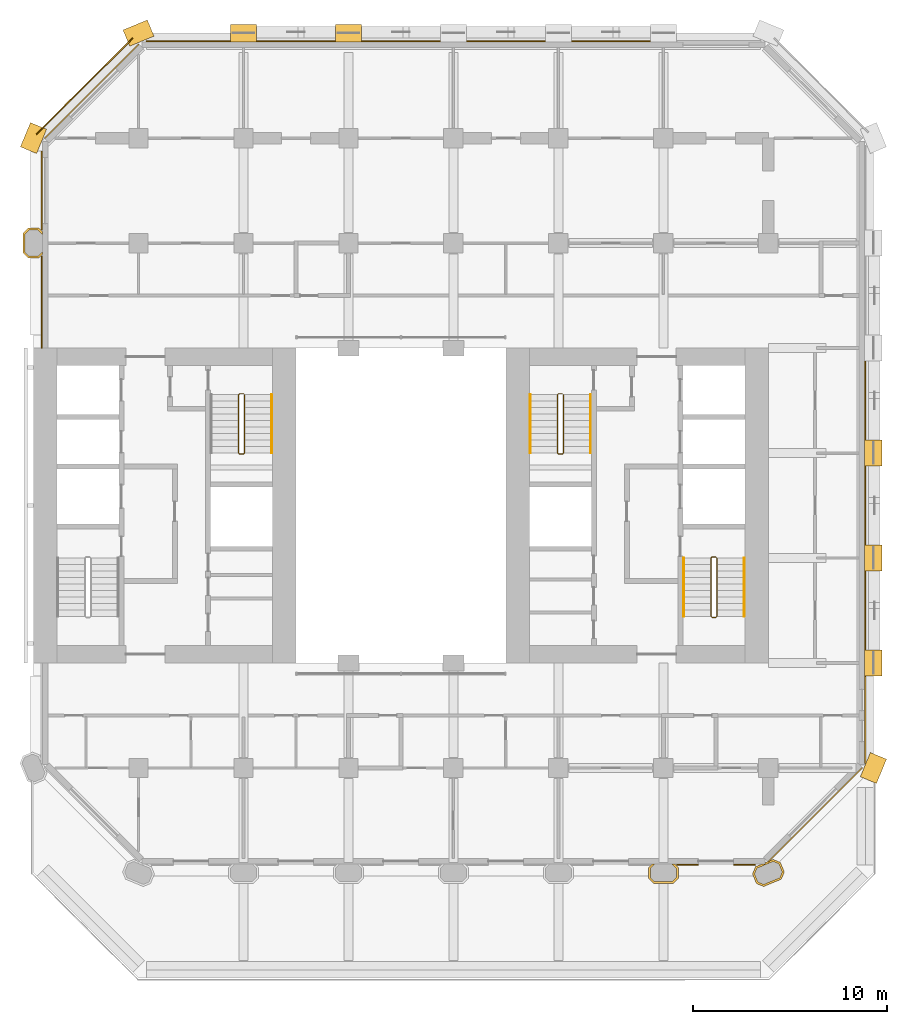
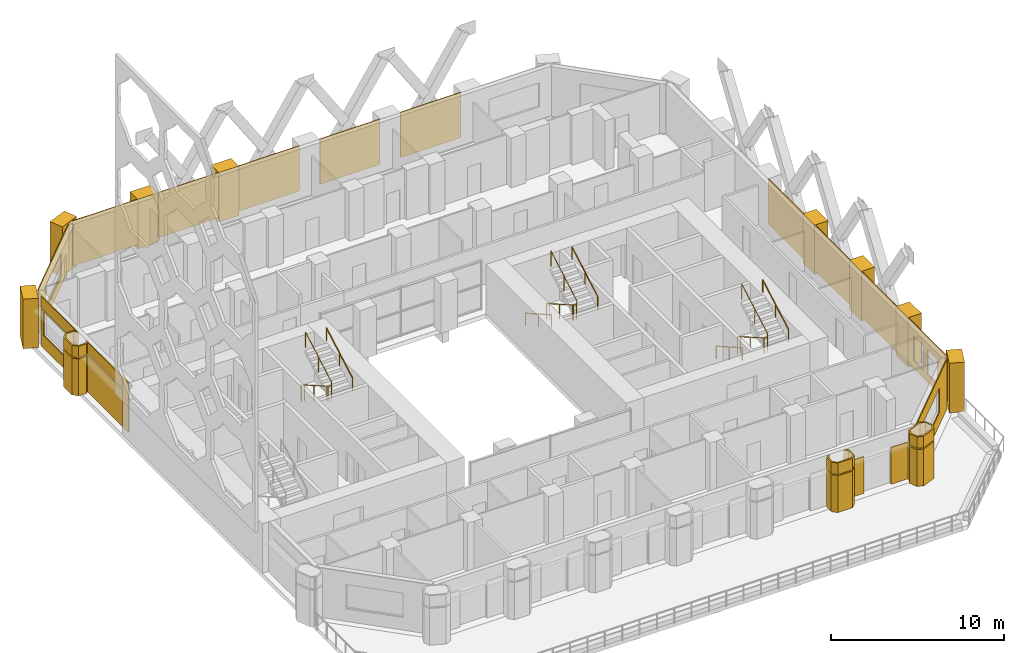
# One storey, part 15 of 16: 33 coverings, 8 railings.
"""IFC4 building model written with IfcOpenShell, lengths in metres."""

from ifc_helpers import new_model, si_unit, direction, frame, frame_2d, origin, origin_2d, place, context, subcontext, project, spatial, polyline, rectangle, circle, outline, extrude, material, layer, layer_set, type_object, element, save


model = new_model("IFC4")

# Units and contexts
model_context = context("Model", 3, precision=1e-05, world=origin(), true_north=direction((0.0, 1.0)))
body_context = subcontext(model_context, "Body", "Model", "MODEL_VIEW")
ifc_project = project(units=[si_unit("LENGTHUNIT", "METRE"), si_unit("AREAUNIT", "SQUARE_METRE"), si_unit("VOLUMEUNIT", "CUBIC_METRE"), si_unit("PLANEANGLEUNIT", "RADIAN"), si_unit("MASSUNIT", "GRAM", prefix="KILO")], contexts=[model_context])

# Site, building, storey
site_placement = place(None, origin())
site = spatial("IfcSite", under=ifc_project, at=site_placement, CompositionType="ELEMENT")
building_placement = place(site_placement, origin())
building = spatial("IfcBuilding", under=site, at=building_placement, Name="Tabaq Tower and Sports Hall", CompositionType="ELEMENT")
storey_placement = place(building_placement, frame((0.0, 0.0, 65.0)))
storey = spatial("IfcBuildingStorey", under=building, at=storey_placement, Name="L14", CompositionType="ELEMENT", Elevation=65.0)

# Coverings
ifc_material_1 = material(Name="Precast concrete C60/75", Category="concrete")
ifc_layer_1 = layer(ifc_material_1, 0.10009765625)
ifc_layer_set_1 = layer_set([ifc_layer_1], Name="Column cladding 100")
covering_type_1 = type_object("IfcCoveringType", Name="Column cladding 100", PredefinedType="CLADDING", material=ifc_layer_set_1)
covering_1_placement = place(storey_placement, origin())
element("IfcCovering", 1, at=covering_1_placement, inside=storey, type_object=covering_type_1, Name="Column cladding L14 PC-2H-O2", PredefinedType="CLADDING", context=body_context, shape_type="SweptSolid", body=[
    extrude(outline(polyline([(5.1337890625, 37.025390625), (4.850341796875, 37.30859375), (4.850341796875, 38.291259765625), (5.1337890625, 38.57470703125), (5.666259765625, 38.57470703125), (5.849609375, 38.391357421875), (5.849609375, 38.250732421875), (5.625244140625, 38.475341796875), (5.1748046875, 38.475341796875), (4.94970703125, 38.250244140625), (4.94970703125, 37.349853515625), (5.1748046875, 37.124755859375), (5.625244140625, 37.124755859375), (5.849609375, 37.349365234375), (5.849609375, 37.208740234375), (5.666259765625, 37.025390625), (5.1337890625, 37.025390625)])), origin(), (0.0, 0.0, 1.0), 2.60009765625),
])
covering_2_placement = place(storey_placement, frame((0.0, 0.0, 2.699951171875)))
element("IfcCovering", 2, at=covering_2_placement, inside=storey, type_object=covering_type_1, Name="Column cladding L14 PC-2H-O2 2", PredefinedType="CLADDING", context=body_context, shape_type="SweptSolid", body=[
    extrude(outline(polyline([(5.1337890625, 37.025390625), (4.850341796875, 37.30859375), (4.850341796875, 38.291259765625), (5.1337890625, 38.57470703125), (5.666259765625, 38.57470703125), (5.849609375, 38.391357421875), (5.849609375, 38.250732421875), (5.625244140625, 38.475341796875), (5.1748046875, 38.475341796875), (4.94970703125, 38.250244140625), (4.94970703125, 37.349853515625), (5.1748046875, 37.124755859375), (5.625244140625, 37.124755859375), (5.849609375, 37.349365234375), (5.849609375, 37.208740234375), (5.666259765625, 37.025390625), (5.1337890625, 37.025390625)])), origin(), (0.0, 0.0, 1.0), 0.800048828125),
])
covering_3_placement = place(storey_placement, origin())
element("IfcCovering", 3, at=covering_3_placement, inside=storey, type_object=covering_type_1, Name="Column cladding L14 PC-8B-O2", PredefinedType="CLADDING", context=body_context, shape_type="SweptSolid", body=[
    extrude(outline(polyline([(37.025390625, 5.666259765625), (37.208740234375, 5.849609375), (37.349365234375, 5.849609375), (37.124755859375, 5.625244140625), (37.124755859375, 5.1748046875), (37.349853515625, 4.94970703125), (38.250244140625, 4.94970703125), (38.475341796875, 5.1748046875), (38.475341796875, 5.625244140625), (38.250732421875, 5.849609375), (38.391357421875, 5.849609375), (38.57470703125, 5.666259765625), (38.57470703125, 5.1337890625), (38.291259765625, 4.850341796875), (37.30859375, 4.850341796875), (37.025390625, 5.1337890625), (37.025390625, 5.666259765625)])), origin(), (0.0, 0.0, 1.0), 2.60009765625),
])
covering_4_placement = place(storey_placement, frame((0.0, 0.0, 2.699951171875)))
element("IfcCovering", 4, at=covering_4_placement, inside=storey, type_object=covering_type_1, Name="Column cladding L14 PC-8B-O2 2", PredefinedType="CLADDING", context=body_context, shape_type="SweptSolid", body=[
    extrude(outline(polyline([(37.025390625, 5.666259765625), (37.208740234375, 5.849609375), (37.349365234375, 5.849609375), (37.124755859375, 5.625244140625), (37.124755859375, 5.1748046875), (37.349853515625, 4.94970703125), (38.250244140625, 4.94970703125), (38.475341796875, 5.1748046875), (38.475341796875, 5.625244140625), (38.250732421875, 5.849609375), (38.391357421875, 5.849609375), (38.57470703125, 5.666259765625), (38.57470703125, 5.1337890625), (38.291259765625, 4.850341796875), (37.30859375, 4.850341796875), (37.025390625, 5.1337890625), (37.025390625, 5.666259765625)])), origin(), (0.0, 0.0, 1.0), 0.800048828125),
])
covering_5_placement = place(storey_placement, origin())
element("IfcCovering", 5, at=covering_5_placement, inside=storey, type_object=covering_type_1, Name="Column cladding L14 PC-9B-O2", PredefinedType="CLADDING", context=body_context, shape_type="SweptSolid", body=[
    extrude(outline(polyline([(42.38232421875, 5.349609375), (42.53564453125, 5.7197265625), (42.84912109375, 5.849609375), (43.013916015625, 5.849609375), (43.013916015625, 5.91796875), (43.16748046875, 5.9814453125), (43.198974609375, 5.9501953125), (43.27490234375, 6.026123046875), (43.443603515625, 6.095947265625), (43.813720703125, 5.9423828125), (44.017578125, 5.450439453125), (43.8642578125, 5.080078125), (42.95654296875, 4.7041015625), (42.586181640625, 4.857421875), (42.38232421875, 5.349609375)]), holes=[polyline([(43.91015625, 5.450439453125), (43.73779296875, 5.866455078125), (43.443603515625, 5.98828125), (42.61181640625, 5.643798828125), (42.489990234375, 5.349609375), (42.662353515625, 4.93359375), (42.95654296875, 4.811767578125), (43.7880859375, 5.15625), (43.91015625, 5.450439453125)])]), origin(), (0.0, 0.0, 1.0), 2.60009765625),
])
covering_6_placement = place(storey_placement, frame((0.0, 0.0, 2.699951171875)))
element("IfcCovering", 6, at=covering_6_placement, inside=storey, type_object=covering_type_1, Name="Column cladding L14 PC-9B-O2 2", PredefinedType="CLADDING", context=body_context, shape_type="SweptSolid", body=[
    extrude(outline(polyline([(42.38232421875, 5.349609375), (42.53564453125, 5.7197265625), (42.84912109375, 5.849609375), (43.013916015625, 5.849609375), (43.013916015625, 5.91796875), (43.16748046875, 5.9814453125), (43.198974609375, 5.9501953125), (43.27490234375, 6.026123046875), (43.443603515625, 6.095947265625), (43.813720703125, 5.9423828125), (44.017578125, 5.450439453125), (43.8642578125, 5.080078125), (42.95654296875, 4.7041015625), (42.586181640625, 4.857421875), (42.38232421875, 5.349609375)]), holes=[polyline([(43.91015625, 5.450439453125), (43.73779296875, 5.866455078125), (43.443603515625, 5.98828125), (42.61181640625, 5.643798828125), (42.489990234375, 5.349609375), (42.662353515625, 4.93359375), (42.95654296875, 4.811767578125), (43.7880859375, 5.15625), (43.91015625, 5.450439453125)])]), origin(), (0.0, 0.0, 1.0), 0.800048828125),
])
ifc_material_2 = material(Name="Precast concrete C60/75", Category="concrete")
ifc_layer_2 = layer(ifc_material_2, 0.06005859375)
ifc_layer_set_2 = layer_set([ifc_layer_2], Name="Edge beam cladding 60")
covering_type_2 = type_object("IfcCoveringType", Name="Edge beam cladding 60", PredefinedType="CLADDING", material=ifc_layer_set_2)
covering_7_placement = place(storey_placement, frame((10.494384765625, 48.3369140625, -0.300048828125), z_axis=(0.0, 0.0, 1.0), x_axis=(-0.707089303851, -0.70712425809, 0.0)))
element("IfcCovering", 7, at=covering_7_placement, inside=storey, type_object=covering_type_2, Name="Edge beam cladding L14 4", PredefinedType="CLADDING", context=body_context, shape_type="SweptSolid", body=[
    extrude(rectangle(XDim=6.984619140625, YDim=0.06005859375, at=frame_2d((3.4921875, 0.0))), origin(), (0.0, 0.0, 1.0), 0.300048828125),
])
ifc_material_3 = material(Name="White precast concrete C60/75", Category="concrete")
covering_type_3 = type_object("IfcCoveringType", Name="Pier cladding hung 1350x900", PredefinedType="CLADDING", material=ifc_material_3)
for number, where, z_axis, x_axis, name in (
    (8, (5.658203125, 43.82373046875, 0.0), (0.0, 0.0, 1.0), (-0.382649923473, -0.923893411637, 0.0), "Hung pier cladding 1/8"),
    (9, (11.423583984375, 48.8583984375, 0.0), (0.0, 0.0, 1.0), (-0.923893411637, -0.382649923473, 0.0), "Hung pier cladding 2/9"),
    (10, (16.875, 48.60009765625, 0.0), (0.0, 0.0, 1.0), (-1.0, 0.0, 0.0), "Hung pier cladding 3/9"),
):
    element("IfcCovering", number, at=place(storey_placement, frame(where, z_axis=z_axis, x_axis=x_axis)), inside=storey, type_object=covering_type_3, Name=name, PredefinedType="CLADDING", context=body_context, shape_type="SweptSolid", body=[
        extrude(rectangle(XDim=1.35009765625, YDim=0.89990234375, at=frame_2d((0.675048828125, 0.0))), origin(), (0.0, 0.0, 1.0), 3.5),
    ])
covering_8_placement = place(storey_placement, frame((22.27490234375, 48.60009765625, 0.0), z_axis=(0.0, 0.0, 1.0), x_axis=(-1.0, 0.0, 0.0)))
element("IfcCovering", 11, at=covering_8_placement, inside=storey, type_object=covering_type_3, Name="Hung pier cladding 4/9", PredefinedType="CLADDING", context=body_context, shape_type="SweptSolid", body=[
    extrude(rectangle(XDim=1.349853515625, YDim=0.89990234375, at=frame_2d((0.6748046875, 0.0))), origin(), (0.0, 0.0, 1.0), 3.5),
])
for number, where, z_axis, x_axis, name in (
    (12, (48.341796875, 10.17626953125, 0.0), (0.0, 0.0, 1.0), (0.382649923473, 0.923893411637, 0.0), "Hung pier cladding 9/2"),
    (13, (48.60009765625, 15.52490234375, 0.0), (0.0, 0.0, 1.0), (0.0, 1.0, 0.0), "Hung pier cladding 9/3"),
):
    element("IfcCovering", number, at=place(storey_placement, frame(where, z_axis=z_axis, x_axis=x_axis)), inside=storey, type_object=covering_type_3, Name=name, PredefinedType="CLADDING", context=body_context, shape_type="SweptSolid", body=[
        extrude(rectangle(XDim=1.35009765625, YDim=0.89990234375, at=frame_2d((0.675048828125, 0.0))), origin(), (0.0, 0.0, 1.0), 3.5),
    ])
covering_9_placement = place(storey_placement, frame((48.60009765625, 20.925048828125, 0.0), z_axis=(0.0, 0.0, 1.0), x_axis=(0.0, 1.0, 0.0)))
element("IfcCovering", 14, at=covering_9_placement, inside=storey, type_object=covering_type_3, Name="Hung pier cladding 9/4", PredefinedType="CLADDING", context=body_context, shape_type="SweptSolid", body=[
    extrude(rectangle(XDim=1.349853515625, YDim=0.89990234375, at=frame_2d((0.6748046875, 0.0))), origin(), (0.0, 0.0, 1.0), 3.5),
])
covering_10_placement = place(storey_placement, frame((48.60009765625, 26.324951171875, 0.0), z_axis=(0.0, 0.0, 1.0), x_axis=(0.0, 1.0, 0.0)))
element("IfcCovering", 15, at=covering_10_placement, inside=storey, type_object=covering_type_3, Name="Hung pier cladding 9/5", PredefinedType="CLADDING", context=body_context, shape_type="SweptSolid", body=[
    extrude(rectangle(XDim=1.35009765625, YDim=0.89990234375, at=frame_2d((0.675048828125, 0.0))), origin(), (0.0, 0.0, 1.0), 3.5),
])

# Railings
ifc_material_4 = material(Name="Stainless steel", Category="steel")
railing_type_1 = type_object("IfcRailingType", Name="Stair guard", PredefinedType="GUARDRAIL", material=ifc_material_4)
railing_1_placement = place(storey_placement, frame((16.199951171875, 30.050048828125, 0.0)))
element("IfcRailing", 16, at=railing_1_placement, inside=storey, type_object=railing_type_1, Name="L14 ST2 stair guard 1", PredefinedType="GUARDRAIL", context=body_context, shape_type="SweptSolid", body=[
    extrude(circle(Radius=0.02392578125, at=origin_2d()), frame((0.0, 0.0, 1.076171875), z_axis=(-1.0, 0.0, 0.0), x_axis=(0.0, -1.0, 0.0)), (0.0, 0.0, 1.0), 0.199951171875),
    extrude(circle(Radius=0.02392578125, at=origin_2d()), frame((-0.199951171875, 0.0, 1.076171875), z_axis=(-0.246910188598, -0.246910188598, 0.937054276727), x_axis=(0.707106781187, -0.707106781187, 0.0)), (0.0, 0.0, 1.0), 0.20263671875),
    extrude(circle(Radius=0.02392578125, at=origin_2d()), frame((-0.25, -0.050048828125, 1.26611328125), z_axis=(0.0, -0.868782136927, 0.495194505781), x_axis=(1.0, 0.0, 0.0)), (0.0, 0.0, 1.0), 3.453125),
    extrude(circle(Radius=0.02392578125, at=origin_2d()), frame((-0.25, -3.050048828125, 2.97607421875), z_axis=(0.707106781187, -0.707106781187, 0.0), x_axis=(0.707106781187, 0.707106781187, 0.0)), (0.0, 0.0, 1.0), 0.07080078125),
    extrude(circle(Radius=0.02392578125, at=origin_2d()), frame((-0.199951171875, -3.10009765625, 2.97607421875), z_axis=(1.0, 0.0, 0.0), x_axis=(0.0, 1.0, 0.0)), (0.0, 0.0, 1.0), 0.199951171875),
    extrude(circle(Radius=0.02392578125, at=origin_2d()), frame((0.0, -3.10009765625, 2.97607421875), z_axis=(0.246631811833, 0.246631811833, 0.937200884967), x_axis=(-0.707106781187, 0.707106781187, 0.0)), (0.0, 0.0, 1.0), 0.202880859375),
    extrude(circle(Radius=0.02392578125, at=origin_2d()), frame((0.050048828125, -3.050048828125, 3.166015625), z_axis=(0.0, 0.868782136927, 0.495194505781), x_axis=(-1.0, 0.0, 0.0)), (0.0, 0.0, 1.0), 3.453125),
    extrude(circle(Radius=0.02099609375, at=origin_2d()), origin(), (0.0, 0.0, 1.0), 1.052001953125),
    extrude(circle(Radius=0.02099609375, at=origin_2d()), frame((-0.199951171875, 0.0, 0.0)), (0.0, 0.0, 1.0), 1.052001953125),
    extrude(circle(Radius=0.02099609375, at=origin_2d()), frame((-0.25, -0.050048828125, 0.18994140625)), (0.0, 0.0, 1.0), 1.052001953125),
    extrude(circle(Radius=0.02099609375, at=origin_2d()), frame((-0.25, -1.550048828125, 1.044921875)), (0.0, 0.0, 1.0), 1.052001953125),
    extrude(circle(Radius=0.02099609375, at=origin_2d()), frame((-0.25, -3.050048828125, 1.89990234375)), (0.0, 0.0, 1.0), 1.052001953125),
    extrude(circle(Radius=0.02099609375, at=origin_2d()), frame((-0.199951171875, -3.10009765625, 1.89990234375)), (0.0, 0.0, 1.0), 1.052001953125),
    extrude(circle(Radius=0.02099609375, at=origin_2d()), frame((0.0, -3.10009765625, 1.89990234375)), (0.0, 0.0, 1.0), 1.052001953125),
    extrude(circle(Radius=0.02099609375, at=origin_2d()), frame((0.050048828125, -3.050048828125, 2.090087890625)), (0.0, 0.0, 1.0), 1.052001953125),
    extrude(circle(Radius=0.02099609375, at=origin_2d()), frame((0.050048828125, -1.550048828125, 2.945068359375)), (0.0, 0.0, 1.0), 1.052001953125),
    extrude(circle(Radius=0.02099609375, at=origin_2d()), frame((0.050048828125, -0.050048828125, 3.800048828125)), (0.0, 0.0, 1.0), 1.052001953125),
])
railing_2_placement = place(storey_placement, frame((40.5, 21.64990234375, 0.0)))
element("IfcRailing", 17, at=railing_2_placement, inside=storey, type_object=railing_type_1, Name="L14 ST3 stair guard 1", PredefinedType="GUARDRAIL", context=body_context, shape_type="SweptSolid", body=[
    extrude(circle(Radius=0.02392578125, at=origin_2d()), frame((0.0, 0.0, 1.076171875), z_axis=(-1.0, 0.0, 0.0), x_axis=(0.0, -1.0, 0.0)), (0.0, 0.0, 1.0), 0.199951171875),
    extrude(circle(Radius=0.02392578125, at=origin_2d()), frame((-0.199951171875, 0.0, 1.076171875), z_axis=(-0.246983470365, -0.245778672949, 0.937332389972), x_axis=(0.705375805398, -0.708833529934, 0.0)), (0.0, 0.0, 1.0), 0.20263671875),
    extrude(circle(Radius=0.02392578125, at=origin_2d()), frame((-0.25, -0.0498046875, 1.26611328125), z_axis=(0.0, -0.868782136927, 0.495194505781), x_axis=(1.0, 0.0, 0.0)), (0.0, 0.0, 1.0), 3.453125),
    extrude(circle(Radius=0.02392578125, at=origin_2d()), frame((-0.25, -3.0498046875, 2.97607421875), z_axis=(0.707106781187, -0.707106781187, 0.0), x_axis=(0.707106781187, 0.707106781187, 0.0)), (0.0, 0.0, 1.0), 0.07080078125),
    extrude(circle(Radius=0.02392578125, at=origin_2d()), frame((-0.199951171875, -3.099853515625, 2.97607421875), z_axis=(1.0, 0.0, 0.0), x_axis=(0.0, 1.0, 0.0)), (0.0, 0.0, 1.0), 0.199951171875),
    extrude(circle(Radius=0.02392578125, at=origin_2d()), frame((0.0, -3.099853515625, 2.97607421875), z_axis=(0.246631811833, 0.246631811833, 0.937200884967), x_axis=(-0.707106781187, 0.707106781187, 0.0)), (0.0, 0.0, 1.0), 0.202880859375),
    extrude(circle(Radius=0.02392578125, at=origin_2d()), frame((0.050048828125, -3.0498046875, 3.166015625), z_axis=(0.0, 0.868782136927, 0.495194505781), x_axis=(-1.0, 0.0, 0.0)), (0.0, 0.0, 1.0), 3.453125),
    extrude(circle(Radius=0.02099609375, at=origin_2d()), origin(), (0.0, 0.0, 1.0), 1.052001953125),
    extrude(circle(Radius=0.02099609375, at=origin_2d()), frame((-0.199951171875, 0.0, 0.0)), (0.0, 0.0, 1.0), 1.052001953125),
    extrude(circle(Radius=0.02099609375, at=origin_2d()), frame((-0.25, -0.0498046875, 0.18994140625)), (0.0, 0.0, 1.0), 1.052001953125),
    extrude(circle(Radius=0.02099609375, at=origin_2d()), frame((-0.25, -1.5498046875, 1.044921875)), (0.0, 0.0, 1.0), 1.052001953125),
    extrude(circle(Radius=0.02099609375, at=origin_2d()), frame((-0.25, -3.0498046875, 1.89990234375)), (0.0, 0.0, 1.0), 1.052001953125),
    extrude(circle(Radius=0.02099609375, at=origin_2d()), frame((-0.199951171875, -3.099853515625, 1.89990234375)), (0.0, 0.0, 1.0), 1.052001953125),
    extrude(circle(Radius=0.02099609375, at=origin_2d()), frame((0.0, -3.099853515625, 1.89990234375)), (0.0, 0.0, 1.0), 1.052001953125),
    extrude(circle(Radius=0.02099609375, at=origin_2d()), frame((0.050048828125, -3.0498046875, 2.090087890625)), (0.0, 0.0, 1.0), 1.052001953125),
    extrude(circle(Radius=0.02099609375, at=origin_2d()), frame((0.050048828125, -1.5498046875, 2.945068359375)), (0.0, 0.0, 1.0), 1.052001953125),
    extrude(circle(Radius=0.02099609375, at=origin_2d()), frame((0.050048828125, -0.0498046875, 3.800048828125)), (0.0, 0.0, 1.0), 1.052001953125),
])
railing_3_placement = place(storey_placement, frame((32.60009765625, 30.050048828125, 0.0)))
element("IfcRailing", 18, at=railing_3_placement, inside=storey, type_object=railing_type_1, Name="L14 ST4 stair guard 1", PredefinedType="GUARDRAIL", context=body_context, shape_type="SweptSolid", body=[
    extrude(circle(Radius=0.02392578125, at=origin_2d()), frame((0.0, 0.0, 1.076171875), z_axis=(-1.0, 0.0, 0.0), x_axis=(0.0, -1.0, 0.0)), (0.0, 0.0, 1.0), 0.2001953125),
    extrude(circle(Radius=0.02392578125, at=origin_2d()), frame((-0.2001953125, 0.0, 1.076171875), z_axis=(-0.245778672949, -0.246983470365, 0.937332389972), x_axis=(0.708833529934, -0.705375805398, 0.0)), (0.0, 0.0, 1.0), 0.20263671875),
    extrude(circle(Radius=0.02392578125, at=origin_2d()), frame((-0.25, -0.050048828125, 1.26611328125), z_axis=(0.0, -0.868782136927, 0.495194505781), x_axis=(1.0, 0.0, 0.0)), (0.0, 0.0, 1.0), 3.453125),
    extrude(circle(Radius=0.02392578125, at=origin_2d()), frame((-0.25, -3.050048828125, 2.97607421875), z_axis=(0.705375805398, -0.708833529934, 0.0), x_axis=(0.708833529934, 0.705375805398, 0.0)), (0.0, 0.0, 1.0), 0.070556640625),
    extrude(circle(Radius=0.02392578125, at=origin_2d()), frame((-0.2001953125, -3.10009765625, 2.97607421875), z_axis=(1.0, 0.0, 0.0), x_axis=(0.0, 1.0, 0.0)), (0.0, 0.0, 1.0), 0.2001953125),
    extrude(circle(Radius=0.02392578125, at=origin_2d()), frame((0.0, -3.10009765625, 2.97607421875), z_axis=(0.245501407671, 0.246704845944, 0.937478414588), x_axis=(-0.708833529934, 0.705375805398, 0.0)), (0.0, 0.0, 1.0), 0.202880859375),
    extrude(circle(Radius=0.02392578125, at=origin_2d()), frame((0.0498046875, -3.050048828125, 3.166015625), z_axis=(0.0, 0.868782136927, 0.495194505781), x_axis=(-1.0, 0.0, 0.0)), (0.0, 0.0, 1.0), 3.453125),
    extrude(circle(Radius=0.02099609375, at=origin_2d()), origin(), (0.0, 0.0, 1.0), 1.052001953125),
    extrude(circle(Radius=0.02099609375, at=origin_2d()), frame((-0.2001953125, 0.0, 0.0)), (0.0, 0.0, 1.0), 1.052001953125),
    extrude(circle(Radius=0.02099609375, at=origin_2d()), frame((-0.25, -0.050048828125, 0.18994140625)), (0.0, 0.0, 1.0), 1.052001953125),
    extrude(circle(Radius=0.02099609375, at=origin_2d()), frame((-0.25, -1.550048828125, 1.044921875)), (0.0, 0.0, 1.0), 1.052001953125),
    extrude(circle(Radius=0.02099609375, at=origin_2d()), frame((-0.25, -3.050048828125, 1.89990234375)), (0.0, 0.0, 1.0), 1.052001953125),
    extrude(circle(Radius=0.02099609375, at=origin_2d()), frame((-0.2001953125, -3.10009765625, 1.89990234375)), (0.0, 0.0, 1.0), 1.052001953125),
    extrude(circle(Radius=0.02099609375, at=origin_2d()), frame((0.0, -3.10009765625, 1.89990234375)), (0.0, 0.0, 1.0), 1.052001953125),
    extrude(circle(Radius=0.02099609375, at=origin_2d()), frame((0.0498046875, -3.050048828125, 2.090087890625)), (0.0, 0.0, 1.0), 1.052001953125),
    extrude(circle(Radius=0.02099609375, at=origin_2d()), frame((0.0498046875, -1.550048828125, 2.945068359375)), (0.0, 0.0, 1.0), 1.052001953125),
    extrude(circle(Radius=0.02099609375, at=origin_2d()), frame((0.0498046875, -0.050048828125, 3.800048828125)), (0.0, 0.0, 1.0), 1.052001953125),
])
ifc_material_5 = material(Name="Stainless steel", Category="steel")
railing_type_2 = type_object("IfcRailingType", Name="Stair handrail", PredefinedType="HANDRAIL", material=ifc_material_5)
railing_4_placement = place(storey_placement, frame((17.64990234375, 27.0, 2.090087890625)))
element("IfcRailing", 19, at=railing_4_placement, inside=storey, type_object=railing_type_2, Name="L14 ST2 stair handrail 2", PredefinedType="HANDRAIL", context=body_context, shape_type="SweptSolid", body=[
    extrude(circle(Radius=0.02392578125, at=origin_2d()), frame((0.0, 0.0, 0.8759765625), z_axis=(0.0, 0.868782136927, 0.495194505781), x_axis=(-1.0, 0.0, 0.0)), (0.0, 0.0, 1.0), 3.453125),
    extrude(circle(Radius=0.02099609375, at=origin_2d()), origin(), (0.0, 0.0, 1.0), 0.851806640625),
    extrude(circle(Radius=0.02099609375, at=origin_2d()), frame((0.0, 1.5, 0.85498046875)), (0.0, 0.0, 1.0), 0.851806640625),
    extrude(circle(Radius=0.02099609375, at=origin_2d()), frame((0.0, 3.0, 1.7099609375)), (0.0, 0.0, 1.0), 0.851806640625),
])
railing_5_placement = place(storey_placement, frame((38.85009765625, 21.60009765625, 0.18994140625)))
element("IfcRailing", 20, at=railing_5_placement, inside=storey, type_object=railing_type_2, Name="L14 ST3 stair handrail 1", PredefinedType="HANDRAIL", context=body_context, shape_type="SweptSolid", body=[
    extrude(circle(Radius=0.02392578125, at=origin_2d()), frame((0.0, 0.0, 0.8759765625), z_axis=(0.0, -0.868782136927, 0.495194505781), x_axis=(1.0, 0.0, 0.0)), (0.0, 0.0, 1.0), 3.453125),
    extrude(circle(Radius=0.02099609375, at=origin_2d()), origin(), (0.0, 0.0, 1.0), 0.851806640625),
    extrude(circle(Radius=0.02099609375, at=origin_2d()), frame((0.0, -1.5, 0.85498046875)), (0.0, 0.0, 1.0), 0.851806640625),
    extrude(circle(Radius=0.02099609375, at=origin_2d()), frame((0.0, -3.0, 1.7099609375)), (0.0, 0.0, 1.0), 0.851806640625),
])
railing_6_placement = place(storey_placement, frame((41.949951171875, 18.60009765625, 2.090087890625)))
element("IfcRailing", 21, at=railing_6_placement, inside=storey, type_object=railing_type_2, Name="L14 ST3 stair handrail 2", PredefinedType="HANDRAIL", context=body_context, shape_type="SweptSolid", body=[
    extrude(circle(Radius=0.02392578125, at=origin_2d()), frame((0.0, 0.0, 0.8759765625), z_axis=(0.0, 0.868782136927, 0.495194505781), x_axis=(-1.0, 0.0, 0.0)), (0.0, 0.0, 1.0), 3.453125),
    extrude(circle(Radius=0.02099609375, at=origin_2d()), origin(), (0.0, 0.0, 1.0), 0.851806640625),
    extrude(circle(Radius=0.02099609375, at=origin_2d()), frame((0.0, 1.5, 0.85498046875)), (0.0, 0.0, 1.0), 0.851806640625),
    extrude(circle(Radius=0.02099609375, at=origin_2d()), frame((0.0, 3.0, 1.7099609375)), (0.0, 0.0, 1.0), 0.851806640625),
])
railing_7_placement = place(storey_placement, frame((30.949951171875, 30.0, 0.18994140625)))
element("IfcRailing", 22, at=railing_7_placement, inside=storey, type_object=railing_type_2, Name="L14 ST4 stair handrail 1", PredefinedType="HANDRAIL", context=body_context, shape_type="SweptSolid", body=[
    extrude(circle(Radius=0.02392578125, at=origin_2d()), frame((0.0, 0.0, 0.8759765625), z_axis=(0.0, -0.868782136927, 0.495194505781), x_axis=(1.0, 0.0, 0.0)), (0.0, 0.0, 1.0), 3.453125),
    extrude(circle(Radius=0.02099609375, at=origin_2d()), origin(), (0.0, 0.0, 1.0), 0.851806640625),
    extrude(circle(Radius=0.02099609375, at=origin_2d()), frame((0.0, -1.5, 0.85498046875)), (0.0, 0.0, 1.0), 0.851806640625),
    extrude(circle(Radius=0.02099609375, at=origin_2d()), frame((0.0, -3.0, 1.7099609375)), (0.0, 0.0, 1.0), 0.851806640625),
])
railing_8_placement = place(storey_placement, frame((34.050048828125, 27.0, 2.090087890625)))
element("IfcRailing", 23, at=railing_8_placement, inside=storey, type_object=railing_type_2, Name="L14 ST4 stair handrail 2", PredefinedType="HANDRAIL", context=body_context, shape_type="SweptSolid", body=[
    extrude(circle(Radius=0.02392578125, at=origin_2d()), frame((0.0, 0.0, 0.8759765625), z_axis=(0.0, 0.868782136927, 0.495194505781), x_axis=(-1.0, 0.0, 0.0)), (0.0, 0.0, 1.0), 3.453125),
    extrude(circle(Radius=0.02099609375, at=origin_2d()), origin(), (0.0, 0.0, 1.0), 0.851806640625),
    extrude(circle(Radius=0.02099609375, at=origin_2d()), frame((0.0, 1.5, 0.85498046875)), (0.0, 0.0, 1.0), 0.851806640625),
    extrude(circle(Radius=0.02099609375, at=origin_2d()), frame((0.0, 3.0, 1.7099609375)), (0.0, 0.0, 1.0), 0.851806640625),
])

# Coverings
ifc_material_6 = material(Name="Precast concrete C60/75", Category="concrete")
ifc_layer_3 = layer(ifc_material_6, 0.06005859375)
ifc_layer_set_3 = layer_set([ifc_layer_3], Name="White precast cladding panel 60 C60/75")
covering_type_4 = type_object("IfcCoveringType", Name="White precast cladding panel 60 C60/75", PredefinedType="CLADDING", material=ifc_layer_set_3)
covering_11_placement = place(storey_placement, frame((38.485107421875, 5.820068359375, 0.0), z_axis=(0.0, 0.0, 1.0), x_axis=(1.0, 0.0, 0.0)))
element("IfcCovering", 24, at=covering_11_placement, inside=storey, type_object=covering_type_4, Name="White precast cladding panel L14 wall00 11", PredefinedType="CLADDING", context=body_context, shape_type="SweptSolid", body=[
    extrude(rectangle(XDim=1.10498046875, YDim=0.06005859375, at=frame_2d((0.552490234375, 0.0))), origin(), (0.0, 0.0, 1.0), 2.590087890625),
])
covering_12_placement = place(storey_placement, frame((41.409912109375, 5.820068359375, 0.0), z_axis=(0.0, 0.0, 1.0), x_axis=(1.0, 0.0, 0.0)))
element("IfcCovering", 25, at=covering_12_placement, inside=storey, type_object=covering_type_4, Name="White precast cladding panel L14 wall00 12", PredefinedType="CLADDING", context=body_context, shape_type="SweptSolid", body=[
    extrude(rectangle(XDim=1.125, YDim=0.06005859375, at=frame_2d((0.5625, 0.0))), origin(), (0.0, 0.0, 1.0), 2.590087890625),
])
covering_13_placement = place(storey_placement, frame((43.177734375, 5.9716796875, 0.0), z_axis=(0.0, 0.0, 1.0), x_axis=(0.707106781187, 0.707106781187, 0.0)))
element("IfcCovering", 26, at=covering_13_placement, inside=storey, type_object=covering_type_4, Name="White precast cladding panel L14 wall01", PredefinedType="CLADDING", context=body_context, shape_type="SweptSolid", body=[
    extrude(outline(polyline([(0.0, 0.0), (6.85986328125, 0.0), (6.85986328125, 3.5), (0.0, 3.5), (0.0, 0.0)]), holes=[polyline([(1.7197265625, 0.889892578125), (1.7197265625, 2.610107421875), (5.139892578125, 2.610107421875), (5.139892578125, 0.889892578125), (1.7197265625, 0.889892578125)])]), frame((0.0, 0.030029296875, 0.0), z_axis=(0.0, -1.0, 0.0), x_axis=(1.0, 0.0, 0.0)), (0.0, 0.0, 1.0), 0.06005859375),
])
covering_14_placement = place(storey_placement, frame((48.179931640625, 11.043212890625, 0.31005859375), z_axis=(0.0, 0.0, 1.0), x_axis=(0.0, 1.0, 0.0)))
element("IfcCovering", 27, at=covering_14_placement, inside=storey, type_object=covering_type_4, Name="White precast cladding panel L14 wall02", PredefinedType="CLADDING", context=body_context, shape_type="SweptSolid", body=[
    extrude(outline(polyline([(0.0, 0.0), (4.4716796875, 0.0), (4.4716796875, 3.18994140625), (0.0, 3.18994140625), (0.0, 0.0)]), holes=[polyline([(1.096923828125, 2.300048828125), (2.216796875, 2.300048828125), (2.216796875, 0.579833984375), (1.096923828125, 0.579833984375), (1.096923828125, 2.300048828125)]), polyline([(2.69677734375, 2.300048828125), (3.81689453125, 2.300048828125), (3.81689453125, 0.579833984375), (2.69677734375, 0.579833984375), (2.69677734375, 2.300048828125)])]), frame((0.0, 0.030029296875, 0.0), z_axis=(0.0, -1.0, 0.0), x_axis=(1.0, 0.0, 0.0)), (0.0, 0.0, 1.0), 0.06005859375),
])
for number, where, z_axis, x_axis, name in (
    (28, (48.179931640625, 16.885009765625, 0.31005859375), (0.0, 0.0, 1.0), (0.0, 1.0, 0.0), "White precast cladding panel L14 wall02 2"),
    (29, (48.179931640625, 22.284912109375, 0.31005859375), (0.0, 0.0, 1.0), (0.0, 1.0, 0.0), "White precast cladding panel L14 wall02 3"),
    (30, (48.179931640625, 27.68505859375, 0.31005859375), (0.0, 0.0, 1.0), (0.0, 1.0, 0.0), "White precast cladding panel L14 wall02 4"),
    (31, (37.114990234375, 48.179931640625, 0.31005859375), (0.0, 0.0, 1.0), (-1.0, 0.0, 0.0), "White precast cladding panel L14 wall04 2"),
    (32, (31.715087890625, 48.179931640625, 0.31005859375), (0.0, 0.0, 1.0), (-1.0, 0.0, 0.0), "White precast cladding panel L14 wall04 3"),
    (33, (26.31494140625, 48.179931640625, 0.31005859375), (0.0, 0.0, 1.0), (-1.0, 0.0, 0.0), "White precast cladding panel L14 wall04 4"),
    (34, (20.9150390625, 48.179931640625, 0.31005859375), (0.0, 0.0, 1.0), (-1.0, 0.0, 0.0), "White precast cladding panel L14 wall04 5"),
):
    element("IfcCovering", number, at=place(storey_placement, frame(where, z_axis=z_axis, x_axis=x_axis)), inside=storey, type_object=covering_type_4, Name=name, PredefinedType="CLADDING", context=body_context, shape_type="SweptSolid", body=[
        extrude(rectangle(XDim=4.030029296875, YDim=0.06005859375, at=frame_2d((2.01513671875, 0.0))), origin(), (0.0, 0.0, 1.0), 3.18994140625),
    ])
covering_15_placement = place(storey_placement, frame((15.514892578125, 48.179931640625, 0.31005859375), z_axis=(0.0, 0.0, 1.0), x_axis=(-1.0, 0.0, 0.0)))
element("IfcCovering", 35, at=covering_15_placement, inside=storey, type_object=covering_type_4, Name="White precast cladding panel L14 wall04 6", PredefinedType="CLADDING", context=body_context, shape_type="SweptSolid", body=[
    extrude(rectangle(XDim=4.32275390625, YDim=0.06005859375, at=frame_2d((2.161376953125, 0.0))), origin(), (0.0, 0.0, 1.0), 3.18994140625),
])
covering_16_placement = place(storey_placement, frame((10.81982421875, 48.02587890625, 0.31005859375), z_axis=(0.0, 0.0, 1.0), x_axis=(-0.707106781187, -0.707106781187, 0.0)))
element("IfcCovering", 36, at=covering_16_placement, inside=storey, type_object=covering_type_4, Name="White precast cladding panel L14 wall05", PredefinedType="CLADDING", context=body_context, shape_type="SweptSolid", body=[
    extrude(outline(polyline([(0.0, 0.0), (6.856201171875, 0.0), (6.856201171875, 3.18994140625), (0.0, 3.18994140625), (0.0, 0.0)]), holes=[polyline([(1.71630859375, 0.579833984375), (1.71630859375, 2.300048828125), (5.13623046875, 2.300048828125), (5.13623046875, 0.579833984375), (1.71630859375, 0.579833984375)])]), frame((0.0, 0.030029296875, 0.0), z_axis=(0.0, -1.0, 0.0), x_axis=(1.0, 0.0, 0.0)), (0.0, 0.0, 1.0), 0.06005859375),
])
covering_17_placement = place(storey_placement, frame((5.820068359375, 42.534912109375, 0.0), z_axis=(0.0, 0.0, 1.0), x_axis=(0.0, -1.0, 0.0)))
element("IfcCovering", 37, at=covering_17_placement, inside=storey, type_object=covering_type_4, Name="White precast cladding panel L14 wall06", PredefinedType="CLADDING", context=body_context, shape_type="SweptSolid", body=[
    extrude(outline(polyline([(0.0, 0.0), (4.0498046875, 0.0), (4.0498046875, 2.590087890625), (0.0, 2.590087890625), (0.0, 0.0)]), holes=[polyline([(3.7451171875, 0.889892578125), (0.324951171875, 0.889892578125), (0.324951171875, 2.56005859375), (3.7451171875, 2.56005859375), (3.7451171875, 0.889892578125)])]), frame((0.0, 0.030029296875, 0.0), z_axis=(0.0, -1.0, 0.0), x_axis=(1.0, 0.0, 0.0)), (0.0, 0.0, 1.0), 0.06005859375),
])
covering_18_placement = place(storey_placement, frame((5.820068359375, 42.534912109375, 2.7099609375), z_axis=(0.0, 0.0, 1.0), x_axis=(0.0, -1.0, 0.0)))
element("IfcCovering", 38, at=covering_18_placement, inside=storey, type_object=covering_type_4, Name="White precast cladding panel L14 wall06 2", PredefinedType="CLADDING", context=body_context, shape_type="SweptSolid", body=[
    extrude(rectangle(XDim=4.0498046875, YDim=0.06005859375, at=frame_2d((2.02490234375, 0.0))), origin(), (0.0, 0.0, 1.0), 0.7900390625),
])
covering_19_placement = place(storey_placement, frame((5.820068359375, 37.114990234375, 0.0), z_axis=(0.0, 0.0, 1.0), x_axis=(0.0, -1.0, 0.0)))
element("IfcCovering", 39, at=covering_19_placement, inside=storey, type_object=covering_type_4, Name="White precast cladding panel L14 wall06 3", PredefinedType="CLADDING", context=body_context, shape_type="SweptSolid", body=[
    extrude(rectangle(XDim=4.050048828125, YDim=0.06005859375, at=frame_2d((2.02490234375, 0.0))), origin(), (0.0, 0.0, 1.0), 2.590087890625),
])
covering_20_placement = place(storey_placement, frame((5.820068359375, 37.114990234375, 2.7099609375), z_axis=(0.0, 0.0, 1.0), x_axis=(0.0, -1.0, 0.0)))
element("IfcCovering", 40, at=covering_20_placement, inside=storey, type_object=covering_type_4, Name="White precast cladding panel L14 wall06 4", PredefinedType="CLADDING", context=body_context, shape_type="SweptSolid", body=[
    extrude(rectangle(XDim=4.050048828125, YDim=0.06005859375, at=frame_2d((2.02490234375, 0.0))), origin(), (0.0, 0.0, 1.0), 0.7900390625),
])
covering_21_placement = place(storey_placement, frame((5.820068359375, 33.06494140625, 0.0), z_axis=(0.0, 0.0, 1.0), x_axis=(0.0, -1.0, 0.0)))
element("IfcCovering", 41, at=covering_21_placement, inside=storey, type_object=covering_type_4, Name="White precast cladding panel L14 wall06 5", PredefinedType="CLADDING", context=body_context, shape_type="SweptSolid", body=[
    extrude(rectangle(XDim=0.6650390625, YDim=0.06005859375, at=frame_2d((0.33251953125, 0.0))), origin(), (0.0, 0.0, 1.0), 3.5),
])

save(model, "model.ifc")
